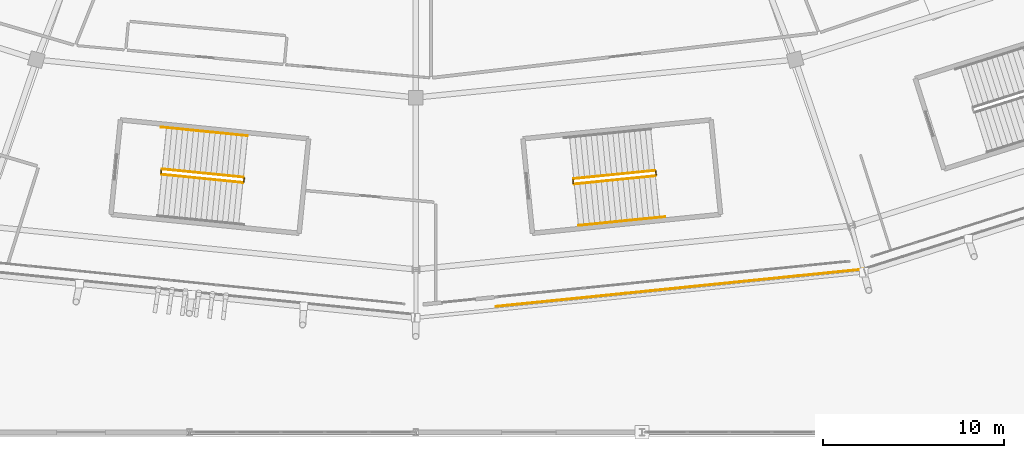
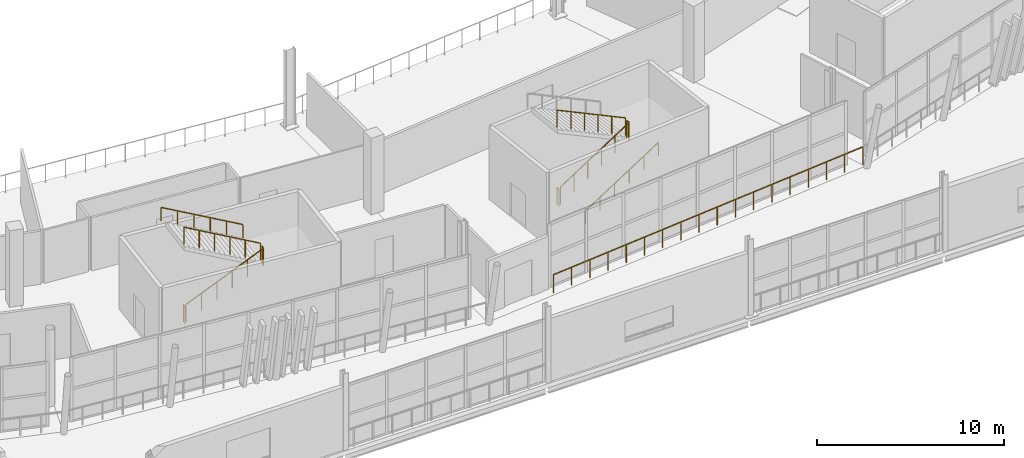
# One storey, part 151 of 179: 11 railings.
"""IFC4 building model written with IfcOpenShell, lengths in metres."""

from ifc_helpers import new_model, si_unit, direction, frame, origin, origin_2d, place, context, subcontext, project, spatial, rectangle, extrude, material, type_object, element, save


model = new_model("IFC4")

# Units and contexts
model_context = context("Model", 3, precision=1e-05, world=origin(), true_north=direction((0.0, 1.0)))
body_context = subcontext(model_context, "Body", "Model", "MODEL_VIEW")
ifc_project = project(units=[si_unit("LENGTHUNIT", "METRE"), si_unit("AREAUNIT", "SQUARE_METRE"), si_unit("VOLUMEUNIT", "CUBIC_METRE"), si_unit("PLANEANGLEUNIT", "RADIAN"), si_unit("MASSUNIT", "GRAM", prefix="KILO")], contexts=[model_context])

# Site, building, storey
site_placement = place(None, origin())
site = spatial("IfcSite", under=ifc_project, at=site_placement, CompositionType="ELEMENT")
building_placement = place(site_placement, origin())
building = spatial("IfcBuilding", under=site, at=building_placement, Name="Zlatoyarsky Gate Stadium", CompositionType="ELEMENT")
storey_placement = place(building_placement, frame((0.0, 0.0, 10.60009765625)))
storey = spatial("IfcBuildingStorey", under=building, at=storey_placement, Name="L02", CompositionType="ELEMENT", Elevation=10.60009765625)

# Railings
ifc_material_1 = material(Name="Powder-coated steel tubular guardrail", Category="steel")
railing_type_1 = type_object("IfcRailingType", Name="CONCOURSE SLAB EDGE GUARDRAIL 1200", PredefinedType="GUARDRAIL", material=ifc_material_1)
railing_1_placement = place(storey_placement, frame((115.42724609375, 6.95263671875, 0.0)))
element("IfcRailing", 1, at=railing_1_placement, inside=storey, type_object=railing_type_1, Name="L02 outer slab edge guardrail 18", PredefinedType="GUARDRAIL", context=body_context, shape_type="SweptSolid", body=[
    extrude(rectangle(XDim=0.048095703125, YDim=0.048095703125, at=origin_2d()), frame((0.0, 0.0, 1.17578125), z_axis=(0.994906430077, 0.100802754876, 0.0), x_axis=(-0.100802754876, 0.994906430077, 0.0)), (0.0, 0.0, 1.0), 20.392822265625),
    extrude(rectangle(XDim=0.0419921875, YDim=0.0419921875, at=origin_2d()), origin(), (0.0, 0.0, 1.0), 1.15185546875),
    extrude(rectangle(XDim=0.0419921875, YDim=0.0419921875, at=origin_2d()), frame((1.193359375, 0.120849609375, 0.0)), (0.0, 0.0, 1.0), 1.15185546875),
    extrude(rectangle(XDim=0.0419921875, YDim=0.0419921875, at=origin_2d()), frame((2.386962890625, 0.241943359375, 0.0)), (0.0, 0.0, 1.0), 1.15185546875),
    extrude(rectangle(XDim=0.0419921875, YDim=0.0419921875, at=origin_2d()), frame((3.580322265625, 0.36279296875, 0.0)), (0.0, 0.0, 1.0), 1.15185546875),
    extrude(rectangle(XDim=0.0419921875, YDim=0.0419921875, at=origin_2d()), frame((4.77392578125, 0.483642578125, 0.0)), (0.0, 0.0, 1.0), 1.15185546875),
    extrude(rectangle(XDim=0.0419921875, YDim=0.0419921875, at=origin_2d()), frame((5.96728515625, 0.6044921875, 0.0)), (0.0, 0.0, 1.0), 1.15185546875),
    extrude(rectangle(XDim=0.0419921875, YDim=0.0419921875, at=origin_2d()), frame((7.160888671875, 0.7255859375, 0.0)), (0.0, 0.0, 1.0), 1.15185546875),
    extrude(rectangle(XDim=0.0419921875, YDim=0.0419921875, at=origin_2d()), frame((8.354248046875, 0.846435546875, 0.0)), (0.0, 0.0, 1.0), 1.15185546875),
    extrude(rectangle(XDim=0.0419921875, YDim=0.0419921875, at=origin_2d()), frame((9.5478515625, 0.96728515625, 0.0)), (0.0, 0.0, 1.0), 1.15185546875),
    extrude(rectangle(XDim=0.0419921875, YDim=0.0419921875, at=origin_2d()), frame((10.7412109375, 1.08837890625, 0.0)), (0.0, 0.0, 1.0), 1.15185546875),
    extrude(rectangle(XDim=0.0419921875, YDim=0.0419921875, at=origin_2d()), frame((11.934814453125, 1.209228515625, 0.0)), (0.0, 0.0, 1.0), 1.15185546875),
    extrude(rectangle(XDim=0.0419921875, YDim=0.0419921875, at=origin_2d()), frame((13.128173828125, 1.330078125, 0.0)), (0.0, 0.0, 1.0), 1.15185546875),
    extrude(rectangle(XDim=0.0419921875, YDim=0.0419921875, at=origin_2d()), frame((14.32177734375, 1.451171875, 0.0)), (0.0, 0.0, 1.0), 1.15185546875),
    extrude(rectangle(XDim=0.0419921875, YDim=0.0419921875, at=origin_2d()), frame((15.51513671875, 1.572021484375, 0.0)), (0.0, 0.0, 1.0), 1.15185546875),
    extrude(rectangle(XDim=0.0419921875, YDim=0.0419921875, at=origin_2d()), frame((16.708740234375, 1.69287109375, 0.0)), (0.0, 0.0, 1.0), 1.15185546875),
    extrude(rectangle(XDim=0.0419921875, YDim=0.0419921875, at=origin_2d()), frame((17.902099609375, 1.813720703125, 0.0)), (0.0, 0.0, 1.0), 1.15185546875),
    extrude(rectangle(XDim=0.0419921875, YDim=0.0419921875, at=origin_2d()), frame((19.095703125, 1.934814453125, 0.0)), (0.0, 0.0, 1.0), 1.15185546875),
    extrude(rectangle(XDim=0.0419921875, YDim=0.0419921875, at=origin_2d()), frame((20.2890625, 2.0556640625, 0.0)), (0.0, 0.0, 1.0), 1.15185546875),
])
ifc_material_2 = material(Name="Powder-coated steel stair guardrail", Category="steel")
railing_type_2 = type_object("IfcRailingType", Name="PAINTED STEEL STAIR WELL GUARDRAIL 1150", PredefinedType="GUARDRAIL", material=ifc_material_2)
railing_2_placement = place(storey_placement, frame((119.760986328125, 13.717529296875, 0.15625)))
element("IfcRailing", 2, at=railing_2_placement, inside=storey, type_object=railing_type_2, Name="ST-10 L02 stair guard 1", PredefinedType="GUARDRAIL", context=body_context, shape_type="SweptSolid", body=[
    extrude(rectangle(XDim=0.048095703125, YDim=0.048095703125, at=origin_2d()), frame((0.0, 0.0, 1.1259765625), z_axis=(0.882473293179, 0.088680386005, 0.461927132743), x_axis=(-0.099987144365, 0.994988729063, 0.0)), (0.0, 0.0, 1.0), 5.07373046875),
    extrude(rectangle(XDim=0.0419921875, YDim=0.0419921875, at=origin_2d()), origin(), (0.0, 0.0, 1.0), 1.101806640625),
    extrude(rectangle(XDim=0.0419921875, YDim=0.0419921875, at=origin_2d()), frame((0.8955078125, 0.090087890625, 0.46875)), (0.0, 0.0, 1.0), 1.101806640625),
    extrude(rectangle(XDim=0.0419921875, YDim=0.0419921875, at=origin_2d()), frame((1.791015625, 0.179931640625, 0.9375)), (0.0, 0.0, 1.0), 1.101806640625),
    extrude(rectangle(XDim=0.0419921875, YDim=0.0419921875, at=origin_2d()), frame((2.6865234375, 0.27001953125, 1.40625)), (0.0, 0.0, 1.0), 1.101806640625),
    extrude(rectangle(XDim=0.0419921875, YDim=0.0419921875, at=origin_2d()), frame((3.58203125, 0.35986328125, 1.875)), (0.0, 0.0, 1.0), 1.101806640625),
    extrude(rectangle(XDim=0.0419921875, YDim=0.0419921875, at=origin_2d()), frame((4.4775390625, 0.449951171875, 2.34375)), (0.0, 0.0, 1.0), 1.101806640625),
])
railing_3_placement = place(storey_placement, frame((124.283203125, 14.22216796875, 2.5)))
element("IfcRailing", 3, at=railing_3_placement, inside=storey, type_object=railing_type_2, Name="ST-10 L02 stair guard 2", PredefinedType="GUARDRAIL", context=body_context, shape_type="SweptSolid", body=[
    extrude(rectangle(XDim=0.048095703125, YDim=0.048095703125, at=origin_2d()), frame((0.0, 0.0, 1.1259765625), z_axis=(-0.100108072026, 0.994976569531, 0.0), x_axis=(-0.994976569531, -0.100108072026, 0.0)), (0.0, 0.0, 1.0), 0.199951171875),
    extrude(rectangle(XDim=0.0419921875, YDim=0.0419921875, at=origin_2d()), origin(), (0.0, 0.0, 1.0), 1.101806640625),
    extrude(rectangle(XDim=0.0419921875, YDim=0.0419921875, at=origin_2d()), frame((-0.02001953125, 0.198974609375, 0.0)), (0.0, 0.0, 1.0), 1.101806640625),
])
railing_4_placement = place(storey_placement, frame((124.20849609375, 14.466064453125, 2.65625)))
element("IfcRailing", 4, at=railing_4_placement, inside=storey, type_object=railing_type_2, Name="ST-10 L02 stair guard 3", PredefinedType="GUARDRAIL", context=body_context, shape_type="SweptSolid", body=[
    extrude(rectangle(XDim=0.048095703125, YDim=0.048095703125, at=origin_2d()), frame((0.0, 0.0, 1.1259765625), z_axis=(-0.882458880114, -0.088731892411, 0.461944776111), x_axis=(0.100046254416, -0.994982787277, 0.0)), (0.0, 0.0, 1.0), 5.07373046875),
    extrude(rectangle(XDim=0.0419921875, YDim=0.0419921875, at=origin_2d()), origin(), (0.0, 0.0, 1.0), 1.101806640625),
    extrude(rectangle(XDim=0.0419921875, YDim=0.0419921875, at=origin_2d()), frame((-0.8955078125, -0.090087890625, 0.46875)), (0.0, 0.0, 1.0), 1.101806640625),
    extrude(rectangle(XDim=0.0419921875, YDim=0.0419921875, at=origin_2d()), frame((-1.791015625, -0.18017578125, 0.9375)), (0.0, 0.0, 1.0), 1.101806640625),
    extrude(rectangle(XDim=0.0419921875, YDim=0.0419921875, at=origin_2d()), frame((-2.686279296875, -0.27001953125, 1.40625)), (0.0, 0.0, 1.0), 1.101806640625),
    extrude(rectangle(XDim=0.0419921875, YDim=0.0419921875, at=origin_2d()), frame((-3.581787109375, -0.360107421875, 1.875)), (0.0, 0.0, 1.0), 1.101806640625),
    extrude(rectangle(XDim=0.0419921875, YDim=0.0419921875, at=origin_2d()), frame((-4.477294921875, -0.4501953125, 2.34375)), (0.0, 0.0, 1.0), 1.101806640625),
])
railing_5_placement = place(storey_placement, frame((119.706298828125, 13.76220703125, 0.0)))
element("IfcRailing", 5, at=railing_5_placement, inside=storey, type_object=railing_type_2, Name="ST-10 L02 stair guard 4", PredefinedType="GUARDRAIL", context=body_context, shape_type="SweptSolid", body=[
    extrude(rectangle(XDim=0.048095703125, YDim=0.048095703125, at=origin_2d()), frame((0.0, 0.0, 1.1259765625), z_axis=(-0.100108072026, 0.994976569531, 0.0), x_axis=(-0.994976569531, -0.100108072026, 0.0)), (0.0, 0.0, 1.0), 0.199951171875),
    extrude(rectangle(XDim=0.0419921875, YDim=0.0419921875, at=origin_2d()), origin(), (0.0, 0.0, 1.0), 1.101806640625),
    extrude(rectangle(XDim=0.0419921875, YDim=0.0419921875, at=origin_2d()), frame((-0.02001953125, 0.198974609375, 0.0)), (0.0, 0.0, 1.0), 1.101806640625),
])
railing_6_placement = place(storey_placement, frame((96.96533203125, 14.247314453125, 0.15625)))
element("IfcRailing", 6, at=railing_6_placement, inside=storey, type_object=railing_type_2, Name="ST-19 L02 stair guard 1", PredefinedType="GUARDRAIL", context=body_context, shape_type="SweptSolid", body=[
    extrude(rectangle(XDim=0.048095703125, YDim=0.048095703125, at=origin_2d()), frame((0.0, 0.0, 1.1259765625), z_axis=(0.882473293179, -0.088680386005, 0.461927132743), x_axis=(0.099987144365, 0.994988729063, 0.0)), (0.0, 0.0, 1.0), 5.07373046875),
    extrude(rectangle(XDim=0.0419921875, YDim=0.0419921875, at=origin_2d()), origin(), (0.0, 0.0, 1.0), 1.101806640625),
    extrude(rectangle(XDim=0.0419921875, YDim=0.0419921875, at=origin_2d()), frame((0.8955078125, -0.090087890625, 0.46875)), (0.0, 0.0, 1.0), 1.101806640625),
    extrude(rectangle(XDim=0.0419921875, YDim=0.0419921875, at=origin_2d()), frame((1.791015625, -0.179931640625, 0.9375)), (0.0, 0.0, 1.0), 1.101806640625),
    extrude(rectangle(XDim=0.0419921875, YDim=0.0419921875, at=origin_2d()), frame((2.6865234375, -0.27001953125, 1.40625)), (0.0, 0.0, 1.0), 1.101806640625),
    extrude(rectangle(XDim=0.0419921875, YDim=0.0419921875, at=origin_2d()), frame((3.58203125, -0.35986328125, 1.875)), (0.0, 0.0, 1.0), 1.101806640625),
    extrude(rectangle(XDim=0.0419921875, YDim=0.0419921875, at=origin_2d()), frame((4.4775390625, -0.449951171875, 2.34375)), (0.0, 0.0, 1.0), 1.101806640625),
])
railing_7_placement = place(storey_placement, frame((101.49755859375, 13.842041015625, 2.5)))
element("IfcRailing", 7, at=railing_7_placement, inside=storey, type_object=railing_type_2, Name="ST-19 L02 stair guard 2", PredefinedType="GUARDRAIL", context=body_context, shape_type="SweptSolid", body=[
    extrude(rectangle(XDim=0.048095703125, YDim=0.048095703125, at=origin_2d()), frame((0.0, 0.0, 1.1259765625), z_axis=(0.100108072026, 0.994976569531, 0.0), x_axis=(-0.994976569531, 0.100108072026, 0.0)), (0.0, 0.0, 1.0), 0.199951171875),
    extrude(rectangle(XDim=0.0419921875, YDim=0.0419921875, at=origin_2d()), origin(), (0.0, 0.0, 1.0), 1.101806640625),
    extrude(rectangle(XDim=0.0419921875, YDim=0.0419921875, at=origin_2d()), frame((0.02001953125, 0.198974609375, 0.0)), (0.0, 0.0, 1.0), 1.101806640625),
])
railing_8_placement = place(storey_placement, frame((101.472900390625, 14.095947265625, 2.65625)))
element("IfcRailing", 8, at=railing_8_placement, inside=storey, type_object=railing_type_2, Name="ST-19 L02 stair guard 3", PredefinedType="GUARDRAIL", context=body_context, shape_type="SweptSolid", body=[
    extrude(rectangle(XDim=0.048095703125, YDim=0.048095703125, at=origin_2d()), frame((0.0, 0.0, 1.1259765625), z_axis=(-0.882473293179, 0.088680386005, 0.461927132743), x_axis=(-0.099987144365, -0.994988729063, 0.0)), (0.0, 0.0, 1.0), 5.07373046875),
    extrude(rectangle(XDim=0.0419921875, YDim=0.0419921875, at=origin_2d()), origin(), (0.0, 0.0, 1.0), 1.101806640625),
    extrude(rectangle(XDim=0.0419921875, YDim=0.0419921875, at=origin_2d()), frame((-0.8955078125, 0.090087890625, 0.46875)), (0.0, 0.0, 1.0), 1.101806640625),
    extrude(rectangle(XDim=0.0419921875, YDim=0.0419921875, at=origin_2d()), frame((-1.791015625, 0.179931640625, 0.9375)), (0.0, 0.0, 1.0), 1.101806640625),
    extrude(rectangle(XDim=0.0419921875, YDim=0.0419921875, at=origin_2d()), frame((-2.6865234375, 0.27001953125, 1.40625)), (0.0, 0.0, 1.0), 1.101806640625),
    extrude(rectangle(XDim=0.0419921875, YDim=0.0419921875, at=origin_2d()), frame((-3.58203125, 0.35986328125, 1.875)), (0.0, 0.0, 1.0), 1.101806640625),
    extrude(rectangle(XDim=0.0419921875, YDim=0.0419921875, at=origin_2d()), frame((-4.4775390625, 0.449951171875, 2.34375)), (0.0, 0.0, 1.0), 1.101806640625),
])
railing_9_placement = place(storey_placement, frame((96.920654296875, 14.30224609375, 0.0)))
element("IfcRailing", 9, at=railing_9_placement, inside=storey, type_object=railing_type_2, Name="ST-19 L02 stair guard 4", PredefinedType="GUARDRAIL", context=body_context, shape_type="SweptSolid", body=[
    extrude(rectangle(XDim=0.048095703125, YDim=0.048095703125, at=origin_2d()), frame((0.0, 0.0, 1.1259765625), z_axis=(0.100108072026, 0.994976569531, 0.0), x_axis=(-0.994976569531, 0.100108072026, 0.0)), (0.0, 0.0, 1.0), 0.199951171875),
    extrude(rectangle(XDim=0.0419921875, YDim=0.0419921875, at=origin_2d()), origin(), (0.0, 0.0, 1.0), 1.101806640625),
    extrude(rectangle(XDim=0.0419921875, YDim=0.0419921875, at=origin_2d()), frame((0.02001953125, 0.198974609375, 0.0)), (0.0, 0.0, 1.0), 1.101806640625),
])
ifc_material_3 = material(Name="Brushed stainless steel 316 handrail", Category="steel")
railing_type_3 = type_object("IfcRailingType", Name="STAINLESS STEEL TUBULAR HANDRAIL 900", PredefinedType="HANDRAIL", material=ifc_material_3)
railing_10_placement = place(storey_placement, frame((119.9912109375, 11.428955078125, 0.16015625)))
element("IfcRailing", 10, at=railing_10_placement, inside=storey, type_object=railing_type_3, Name="ST-10 L02 stair handrail 1", PredefinedType="HANDRAIL", context=body_context, shape_type="SweptSolid", body=[
    extrude(rectangle(XDim=0.048095703125, YDim=0.048095703125, at=origin_2d()), frame((0.0, 0.0, 0.8759765625), z_axis=(0.882466168718, 0.08868870707, 0.461939145674), x_axis=(-0.099997231792, 0.994987715318, 0.0)), (0.0, 0.0, 1.0), 5.411865234375),
    extrude(rectangle(XDim=0.0419921875, YDim=0.0419921875, at=origin_2d()), origin(), (0.0, 0.0, 1.0), 0.851806640625),
    extrude(rectangle(XDim=0.0419921875, YDim=0.0419921875, at=origin_2d()), frame((0.955078125, 0.095947265625, 0.5)), (0.0, 0.0, 1.0), 0.851806640625),
    extrude(rectangle(XDim=0.0419921875, YDim=0.0419921875, at=origin_2d()), frame((1.910400390625, 0.19189453125, 1.0)), (0.0, 0.0, 1.0), 0.851806640625),
    extrude(rectangle(XDim=0.0419921875, YDim=0.0419921875, at=origin_2d()), frame((2.865478515625, 0.2880859375, 1.5)), (0.0, 0.0, 1.0), 0.851806640625),
    extrude(rectangle(XDim=0.0419921875, YDim=0.0419921875, at=origin_2d()), frame((3.82080078125, 0.384033203125, 2.0)), (0.0, 0.0, 1.0), 0.851806640625),
    extrude(rectangle(XDim=0.0419921875, YDim=0.0419921875, at=origin_2d()), frame((4.77587890625, 0.47998046875, 2.5)), (0.0, 0.0, 1.0), 0.851806640625),
])
railing_11_placement = place(storey_placement, frame((101.702880859375, 16.38427734375, 2.66015625)))
element("IfcRailing", 11, at=railing_11_placement, inside=storey, type_object=railing_type_3, Name="ST-19 L02 stair handrail 2", PredefinedType="HANDRAIL", context=body_context, shape_type="SweptSolid", body=[
    extrude(rectangle(XDim=0.048095703125, YDim=0.048095703125, at=origin_2d()), frame((0.0, 0.0, 0.8759765625), z_axis=(-0.882466168718, 0.08868870707, 0.461939145674), x_axis=(-0.099997231792, -0.994987715318, 0.0)), (0.0, 0.0, 1.0), 5.411865234375),
    extrude(rectangle(XDim=0.0419921875, YDim=0.0419921875, at=origin_2d()), origin(), (0.0, 0.0, 1.0), 0.851806640625),
    extrude(rectangle(XDim=0.0419921875, YDim=0.0419921875, at=origin_2d()), frame((-0.955078125, 0.095947265625, 0.5)), (0.0, 0.0, 1.0), 0.851806640625),
    extrude(rectangle(XDim=0.0419921875, YDim=0.0419921875, at=origin_2d()), frame((-1.910400390625, 0.19189453125, 1.0)), (0.0, 0.0, 1.0), 0.851806640625),
    extrude(rectangle(XDim=0.0419921875, YDim=0.0419921875, at=origin_2d()), frame((-2.865478515625, 0.2880859375, 1.5)), (0.0, 0.0, 1.0), 0.851806640625),
    extrude(rectangle(XDim=0.0419921875, YDim=0.0419921875, at=origin_2d()), frame((-3.82080078125, 0.384033203125, 2.0)), (0.0, 0.0, 1.0), 0.851806640625),
    extrude(rectangle(XDim=0.0419921875, YDim=0.0419921875, at=origin_2d()), frame((-4.77587890625, 0.47998046875, 2.5)), (0.0, 0.0, 1.0), 0.851806640625),
])

save(model, "model.ifc")
